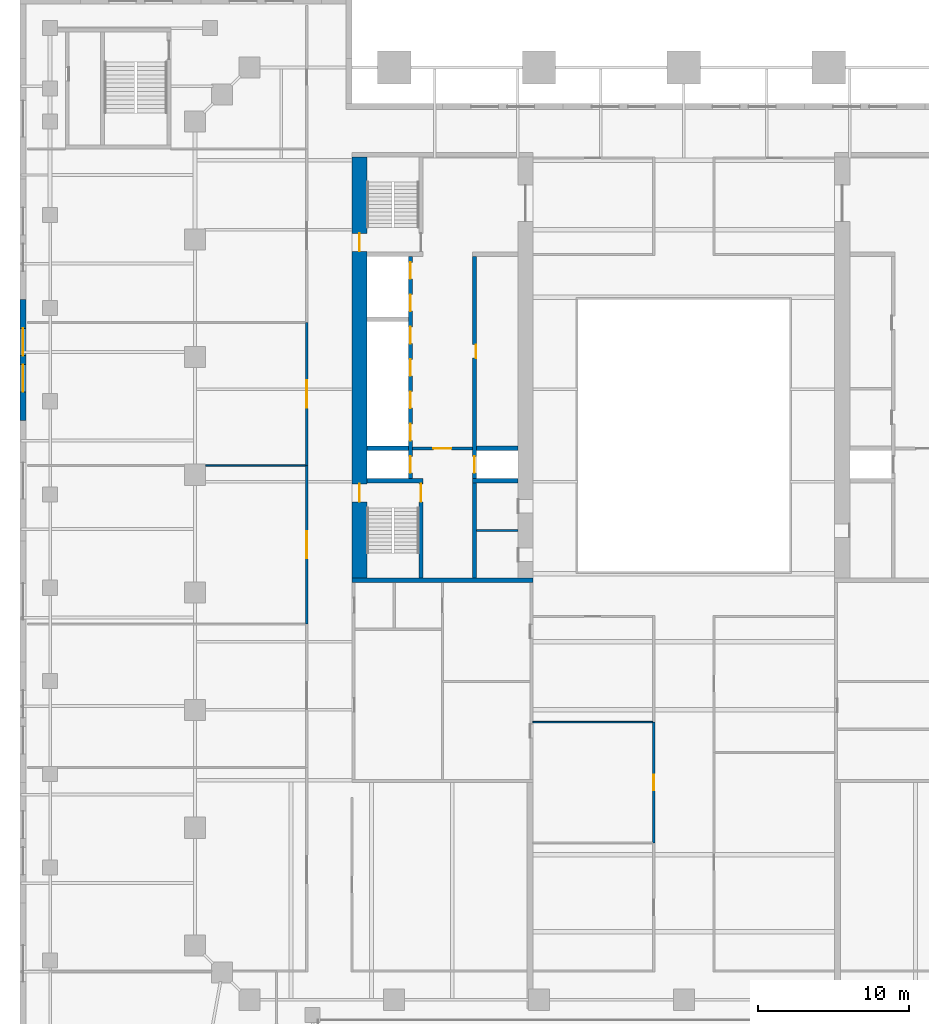
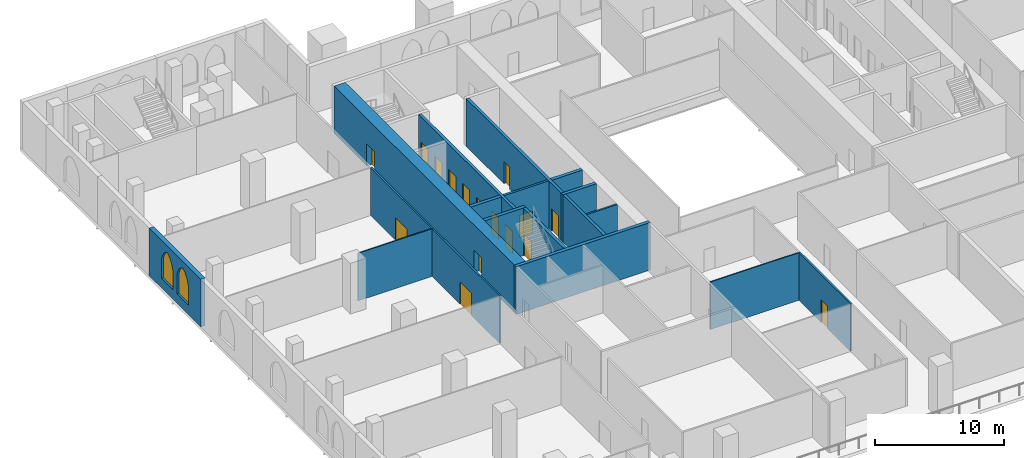
# One storey, part 10 of 19: 17 walls, 16 doors, 2 windows, 18 openings.
"""IFC4 building model written with IfcOpenShell, lengths in metres."""

from ifc_helpers import new_model, si_unit, direction, frame, frame_2d, origin, place, context, subcontext, project, spatial, polyline, rectangle, outline, extrude, material, layer, layer_set, type_object, element, fill, save


model = new_model("IFC4")

# Units and contexts
model_context = context("Model", 3, precision=1e-05, world=origin(), true_north=direction((0.0, 1.0)))
body_context = subcontext(model_context, "Body", "Model", "MODEL_VIEW")
ifc_project = project(units=[si_unit("LENGTHUNIT", "METRE"), si_unit("AREAUNIT", "SQUARE_METRE"), si_unit("VOLUMEUNIT", "CUBIC_METRE"), si_unit("PLANEANGLEUNIT", "RADIAN"), si_unit("MASSUNIT", "GRAM", prefix="KILO")], contexts=[model_context])

# Site, building, storey
site_placement = place(None, origin())
site = spatial("IfcSite", under=ifc_project, at=site_placement, CompositionType="ELEMENT")
building_placement = place(site_placement, origin())
building = spatial("IfcBuilding", under=site, at=building_placement, Name="Ogive Exchange Tower", CompositionType="ELEMENT")
storey_placement = place(building_placement, frame((0.0, 0.0, 24.0)))
storey = spatial("IfcBuildingStorey", under=building, at=storey_placement, Name="L04", CompositionType="ELEMENT", Elevation=24.0)

# Wall
ifc_material_1 = material(Name="Gypsum board partition")
ifc_layer_1 = layer(ifc_material_1, 0.14990234375)
ifc_layer_set_1 = layer_set([ifc_layer_1], Name="Core room partition 150 gypsum")
wall_type_1 = type_object("IfcWallType", Name="Core room partition 150 gypsum", PredefinedType="PARTITIONING", material=ifc_layer_set_1)
wall_1_placement = place(storey_placement, frame((-13.75, 0.699951171875, 0.0), z_axis=(0.0, 0.0, 1.0), x_axis=(1.0, 0.0, 0.0)))
element("IfcWall", 1, at=wall_1_placement, inside=storey, type_object=wall_type_1, Name="W south room partition", PredefinedType="PARTITIONING", context=body_context, shape_type="SweptSolid", body=[
    extrude(rectangle(XDim=2.75, YDim=0.14990234375, at=frame_2d((1.375, 0.0))), origin(), (0.0, 0.0, 1.0), 4.5),
])

# Wall, opening, door
ifc_material_2 = material(Name="Fire partition EI 60 150")
ifc_layer_2 = layer(ifc_material_2, 0.14990234375)
ifc_layer_set_2 = layer_set([ifc_layer_2], Name="Fire partition EI 60 150")
wall_type_2 = type_object("IfcWallType", Name="Fire partition EI 60 150", PredefinedType="PARTITIONING", material=ifc_layer_set_2)
wall_2_placement = place(storey_placement, frame((-25.0, -5.5, 0.0), z_axis=(0.0, 0.0, 1.0), x_axis=(0.0, 1.0, 0.0)))
wall_2 = element("IfcWall", 2, at=wall_2_placement, inside=storey, type_object=wall_type_2, Name="L04-PWL-046", PredefinedType="PARTITIONING", context=body_context, shape_type="SweptSolid", body=[
    extrude(rectangle(XDim=10.5, YDim=0.14990234375, at=frame_2d((5.25, 0.0))), origin(), (0.0, 0.0, 1.0), 4.5),
])
opening_1_placement = place(wall_2_placement, frame((4.35009765625, 0.0, 0.0)))
opening_1 = element("IfcOpeningElement", 3, at=opening_1_placement, cuts=wall_2, Name="Opening L04-I05", PredefinedType="OPENING", context=body_context, shape_type="SweptSolid", body=[
    extrude(rectangle(XDim=1.800048828125, YDim=2.10009765625, at=frame_2d((0.89990234375, 1.050048828125))), frame((0.0, 0.0849609375, 0.0), z_axis=(0.0, -1.0, 0.0), x_axis=(1.0, 0.0, 0.0)), (0.0, 0.0, 1.0), 0.169921875),
])
ifc_material_3 = material(Name="Fire door FD 30S 1800 x 2100")
door_type_1 = type_object("IfcDoorType", Name="Fire door FD 30S 1800 x 2100", OperationType="DOUBLE_DOOR_SINGLE_SWING", PredefinedType="DOOR", material=ifc_material_3)
door_1_placement = place(opening_1_placement, origin())
door_1 = element("IfcDoor", 4, at=door_1_placement, inside=storey, type_object=door_type_1, Name="L04-IDR-005", ObjectType="DT4", OperationType="SINGLE_SWING_RIGHT", OverallHeight=2.10009765625, OverallWidth=1.800048828125, PredefinedType="DOOR", context=body_context, shape_type="SweptSolid", body=[
    extrude(rectangle(XDim=1.800048828125, YDim=2.10009765625, at=frame_2d((0.89990234375, 1.050048828125))), frame((0.0, 0.02490234375, 0.0), z_axis=(0.0, -1.0, 0.0), x_axis=(1.0, 0.0, 0.0)), (0.0, 0.0, 1.0), 0.050048828125),
])
fill(opening_1, door_1)

wall_3_placement = place(storey_placement, frame((-25.0, 5.0, 0.0), z_axis=(0.0, 0.0, 1.0), x_axis=(0.0, 1.0, 0.0)))
wall_3 = element("IfcWall", 5, at=wall_3_placement, inside=storey, type_object=wall_type_2, Name="L04-PWL-047", PredefinedType="PARTITIONING", context=body_context, shape_type="SweptSolid", body=[
    extrude(rectangle(XDim=9.5, YDim=0.14990234375, at=frame_2d((4.75, 0.0))), origin(), (0.0, 0.0, 1.0), 4.5),
])
opening_2_placement = place(wall_3_placement, frame((3.85009765625, 0.0, 0.0)))
opening_2 = element("IfcOpeningElement", 6, at=opening_2_placement, cuts=wall_3, Name="Opening L04-I06", PredefinedType="OPENING", context=body_context, shape_type="SweptSolid", body=[
    extrude(rectangle(XDim=1.800048828125, YDim=2.10009765625, at=frame_2d((0.89990234375, 1.050048828125))), frame((0.0, 0.0849609375, 0.0), z_axis=(0.0, -1.0, 0.0), x_axis=(1.0, 0.0, 0.0)), (0.0, 0.0, 1.0), 0.169921875),
])
door_2_placement = place(opening_2_placement, origin())
door_2 = element("IfcDoor", 7, at=door_2_placement, inside=storey, type_object=door_type_1, Name="L04-IDR-006", ObjectType="DT4", OperationType="SINGLE_SWING_RIGHT", OverallHeight=2.10009765625, OverallWidth=1.800048828125, PredefinedType="DOOR", context=body_context, shape_type="SweptSolid", body=[
    extrude(rectangle(XDim=1.800048828125, YDim=2.10009765625, at=frame_2d((0.89990234375, 1.050048828125))), frame((0.0, 0.02490234375, 0.0), z_axis=(0.0, -1.0, 0.0), x_axis=(1.0, 0.0, 0.0)), (0.0, 0.0, 1.0), 0.050048828125),
])
fill(opening_2, door_2)

wall_4_placement = place(storey_placement, frame((-2.0, -20.0, 0.0), z_axis=(0.0, 0.0, 1.0), x_axis=(0.0, 1.0, 0.0)))
wall_4 = element("IfcWall", 8, at=wall_4_placement, inside=storey, type_object=wall_type_2, Name="L04-PWL-052", PredefinedType="PARTITIONING", context=body_context, shape_type="SweptSolid", body=[
    extrude(rectangle(XDim=8.0, YDim=0.14990234375, at=frame_2d((4.0, 0.0))), origin(), (0.0, 0.0, 1.0), 4.5),
])
opening_3_placement = place(wall_4_placement, frame((3.5, 0.0, 0.0)))
opening_3 = element("IfcOpeningElement", 9, at=opening_3_placement, cuts=wall_4, Name="Opening L04-I21", PredefinedType="OPENING", context=body_context, shape_type="SweptSolid", body=[
    extrude(rectangle(XDim=1.0, YDim=2.10009765625, at=frame_2d((0.5, 1.050048828125))), frame((0.0, 0.0849609375, 0.0), z_axis=(0.0, -1.0, 0.0), x_axis=(1.0, 0.0, 0.0)), (0.0, 0.0, 1.0), 0.169921875),
])
ifc_material_4 = material(Name="Fire door FD 30S 1000 x 2100")
door_type_2 = type_object("IfcDoorType", Name="Fire door FD 30S 1000 x 2100", OperationType="NOTDEFINED", PredefinedType="DOOR", material=ifc_material_4)
door_3_placement = place(opening_3_placement, origin())
door_3 = element("IfcDoor", 10, at=door_3_placement, inside=storey, type_object=door_type_2, Name="L04-IDR-021", ObjectType="DT3", OperationType="SINGLE_SWING_LEFT", OverallHeight=2.10009765625, OverallWidth=1.0, PredefinedType="DOOR", context=body_context, shape_type="SweptSolid", body=[
    extrude(rectangle(XDim=1.0, YDim=2.10009765625, at=frame_2d((0.5, 1.050048828125))), frame((0.0, 0.02490234375, 0.0), z_axis=(0.0, -1.0, 0.0), x_axis=(1.0, 0.0, 0.0)), (0.0, 0.0, 1.0), 0.050048828125),
])
fill(opening_3, door_3)

# Wall, openings, windows
ifc_material_5 = material(Name="Precast concrete C40/50", Category="concrete")
ifc_layer_3 = layer(ifc_material_5, 0.39990234375)
ifc_layer_set_3 = layer_set([ifc_layer_3], Name="Limestone-faced wall 400")
wall_type_3 = type_object("IfcWallType", Name="Limestone-faced wall 400", PredefinedType="STANDARD", material=ifc_layer_set_3)
wall_5_placement = place(storey_placement, frame((-43.800048828125, 16.0, 0.0), z_axis=(0.0, 0.0, 1.0), x_axis=(0.0, -1.0, 0.0)))
wall_5 = element("IfcWall", 11, at=wall_5_placement, inside=storey, type_object=wall_type_3, Name="Podium wall W4", PredefinedType="STANDARD", context=body_context, shape_type="SweptSolid", body=[
    extrude(rectangle(XDim=8.0, YDim=0.39990234375, at=frame_2d((4.0, 0.0))), origin(), (0.0, 0.0, 1.0), 4.5),
])
opening_4_placement = place(wall_5_placement, frame((1.89990234375, 0.0, 0.89990234375)))
opening_4 = element("IfcOpeningElement", 12, at=opening_4_placement, cuts=wall_5, Name="Opening WQ300", PredefinedType="OPENING", context=body_context, shape_type="SweptSolid", body=[
    extrude(outline(polyline([(0.0, 0.0), (1.800048828125, 0.0), (1.800048828125, 1.5), (1.78466796875, 1.72900390625), (1.73828125, 1.953857421875), (1.662353515625, 2.17041015625), (1.557861328125, 2.374755859375), (1.4267578125, 2.56298828125), (1.271484375, 2.73193359375), (1.0947265625, 2.878662109375), (0.89990234375, 3.0), (0.705322265625, 2.878662109375), (0.528564453125, 2.73193359375), (0.373291015625, 2.56298828125), (0.2421875, 2.374755859375), (0.1376953125, 2.17041015625), (0.061767578125, 1.953857421875), (0.015380859375, 1.72900390625), (0.0, 1.5), (0.0, 0.0)])), frame((0.0, 0.2099609375, 0.0), z_axis=(0.0, -1.0, 0.0), x_axis=(1.0, 0.0, 0.0)), (0.0, 0.0, 1.0), 0.419921875),
])
opening_5_placement = place(wall_5_placement, frame((4.300048828125, 0.0, 0.89990234375)))
opening_5 = element("IfcOpeningElement", 13, at=opening_5_placement, cuts=wall_5, Name="Opening WQ300", PredefinedType="OPENING", context=body_context, shape_type="SweptSolid", body=[
    extrude(outline(polyline([(0.0, 0.0), (1.800048828125, 0.0), (1.800048828125, 1.5), (1.78466796875, 1.72900390625), (1.73828125, 1.953857421875), (1.662353515625, 2.17041015625), (1.557861328125, 2.374755859375), (1.4267578125, 2.56298828125), (1.271484375, 2.73193359375), (1.0947265625, 2.878662109375), (0.89990234375, 3.0), (0.705322265625, 2.878662109375), (0.528564453125, 2.73193359375), (0.373291015625, 2.56298828125), (0.2421875, 2.374755859375), (0.1376953125, 2.17041015625), (0.061767578125, 1.953857421875), (0.015380859375, 1.72900390625), (0.0, 1.5), (0.0, 0.0)])), frame((0.0, 0.2099609375, 0.0), z_axis=(0.0, -1.0, 0.0), x_axis=(1.0, 0.0, 0.0)), (0.0, 0.0, 1.0), 0.419921875),
])
ifc_material_6 = material(Name="Clear glass in bronze frame", Category="glass")
window_type = type_object("IfcWindowType", Name="Podium paired lancet 1800 x 3000", PartitioningType="DOUBLE_PANEL_VERTICAL", PredefinedType="WINDOW", material=ifc_material_6)
window_1_placement = place(opening_4_placement, origin())
window_1 = element("IfcWindow", 14, at=window_1_placement, inside=storey, type_object=window_type, Name="Podium paired lancet W4.1", OverallHeight=3.0, OverallWidth=1.800048828125, PartitioningType="DOUBLE_PANEL_VERTICAL", PredefinedType="WINDOW", context=body_context, shape_type="SweptSolid", body=[
    extrude(outline(polyline([(0.0, 0.0), (1.800048828125, 0.0), (1.800048828125, 1.5), (1.78466796875, 1.72900390625), (1.73828125, 1.953857421875), (1.662353515625, 2.17041015625), (1.557861328125, 2.374755859375), (1.4267578125, 2.56298828125), (1.271484375, 2.73193359375), (1.0947265625, 2.878662109375), (0.89990234375, 3.0), (0.705322265625, 2.878662109375), (0.528564453125, 2.73193359375), (0.373291015625, 2.56298828125), (0.2421875, 2.374755859375), (0.1376953125, 2.17041015625), (0.061767578125, 1.953857421875), (0.015380859375, 1.72900390625), (0.0, 1.5), (0.0, 0.0)])), frame((0.0, 0.030029296875, 0.0), z_axis=(0.0, -1.0, 0.0), x_axis=(1.0, 0.0, 0.0)), (0.0, 0.0, 1.0), 0.06005859375),
])
fill(opening_4, window_1)
window_2_placement = place(opening_5_placement, origin())
window_2 = element("IfcWindow", 15, at=window_2_placement, inside=storey, type_object=window_type, Name="Podium paired lancet W4.2", OverallHeight=3.0, OverallWidth=1.800048828125, PartitioningType="DOUBLE_PANEL_VERTICAL", PredefinedType="WINDOW", context=body_context, shape_type="SweptSolid", body=[
    extrude(outline(polyline([(0.0, 0.0), (1.800048828125, 0.0), (1.800048828125, 1.5), (1.78466796875, 1.72900390625), (1.73828125, 1.953857421875), (1.662353515625, 2.17041015625), (1.557861328125, 2.374755859375), (1.4267578125, 2.56298828125), (1.271484375, 2.73193359375), (1.0947265625, 2.878662109375), (0.89990234375, 3.0), (0.705322265625, 2.878662109375), (0.528564453125, 2.73193359375), (0.373291015625, 2.56298828125), (0.2421875, 2.374755859375), (0.1376953125, 2.17041015625), (0.061767578125, 1.953857421875), (0.015380859375, 1.72900390625), (0.0, 1.5), (0.0, 0.0)])), frame((0.0, 0.030029296875, 0.0), z_axis=(0.0, -1.0, 0.0), x_axis=(1.0, 0.0, 0.0)), (0.0, 0.0, 1.0), 0.06005859375),
])
fill(opening_5, window_2)

# Walls
ifc_material_7 = material(Name="Partition 100 gypsum")
ifc_layer_4 = layer(ifc_material_7, 0.10009765625)
ifc_layer_set_4 = layer_set([ifc_layer_4], Name="Partition 100 gypsum")
wall_type_4 = type_object("IfcWallType", Name="Partition 100 gypsum", PredefinedType="PARTITIONING", material=ifc_layer_set_4)
wall_6_placement = place(storey_placement, frame((-10.0, -12.0, 0.0), z_axis=(0.0, 0.0, 1.0), x_axis=(1.0, 0.0, 0.0)))
element("IfcWall", 16, at=wall_6_placement, inside=storey, type_object=wall_type_4, Name="L04-PWL-020", PredefinedType="PARTITIONING", context=body_context, shape_type="SweptSolid", body=[
    extrude(rectangle(XDim=7.925048828125, YDim=0.10009765625, at=frame_2d((3.96240234375, 0.0))), origin(), (0.0, 0.0, 1.0), 4.5),
])
wall_7_placement = place(storey_placement, frame((-31.699951171875, 5.0, 0.0), z_axis=(0.0, 0.0, 1.0), x_axis=(1.0, 0.0, 0.0)))
element("IfcWall", 17, at=wall_7_placement, inside=storey, type_object=wall_type_4, Name="L04-PWL-027", PredefinedType="PARTITIONING", context=body_context, shape_type="SweptSolid", body=[
    extrude(rectangle(XDim=6.625, YDim=0.10009765625, at=frame_2d((3.3125, 0.0))), origin(), (0.0, 0.0, 1.0), 4.5),
])

# Wall, openings, doors
ifc_material_8 = material(Name="Concrete C70/85", Category="concrete")
ifc_layer_5 = layer(ifc_material_8, 1.0)
ifc_layer_set_5 = layer_set([ifc_layer_5], Name="RC core wall 1000 C70/85")
wall_type_5 = type_object("IfcWallType", Name="RC core wall 1000 C70/85", PredefinedType="SHEAR", material=ifc_layer_set_5)
wall_8_placement = place(storey_placement, frame((-21.5, -2.449951171875, 0.0), z_axis=(0.0, 0.0, 1.0), x_axis=(0.0, 1.0, 0.0)))
wall_8 = element("IfcWall", 18, at=wall_8_placement, inside=storey, type_object=wall_type_5, Name="W outer wall", PredefinedType="SHEAR", context=body_context, shape_type="SweptSolid", body=[
    extrude(rectangle(XDim=27.89990234375, YDim=1.0, at=frame_2d((13.949951171875, 0.0))), origin(), (0.0, 0.0, 1.0), 4.5),
])
opening_6_placement = place(wall_8_placement, frame((5.050048828125, 0.0, 0.0)))
opening_6 = element("IfcOpeningElement", 19, at=opening_6_placement, cuts=wall_8, Name="Opening L04-C13", PredefinedType="OPENING", context=body_context, shape_type="SweptSolid", body=[
    extrude(rectangle(XDim=1.199951171875, YDim=2.10009765625, at=frame_2d((0.60009765625, 1.050048828125))), frame((0.0, 0.510009765625, 0.0), z_axis=(0.0, -1.0, 0.0), x_axis=(1.0, 0.0, 0.0)), (0.0, 0.0, 1.0), 1.02001953125),
])
opening_7_placement = place(wall_8_placement, frame((21.64990234375, 0.0, 0.0)))
opening_7 = element("IfcOpeningElement", 20, at=opening_7_placement, cuts=wall_8, Name="Opening L04-C15", PredefinedType="OPENING", context=body_context, shape_type="SweptSolid", body=[
    extrude(rectangle(XDim=1.199951171875, YDim=2.10009765625, at=frame_2d((0.60009765625, 1.050048828125))), frame((0.0, 0.510009765625, 0.0), z_axis=(0.0, -1.0, 0.0), x_axis=(1.0, 0.0, 0.0)), (0.0, 0.0, 1.0), 1.02001953125),
])
ifc_material_9 = material(Name="Steel fire door", Category="steel")
door_type_3 = type_object("IfcDoorType", Name="Stair door FD90 1200 x 2100", OperationType="NOTDEFINED", PredefinedType="DOOR", material=ifc_material_9)
door_4_placement = place(opening_6_placement, frame((1.199951171875, 0.0, 0.0), z_axis=(0.0, 0.0, 1.0), x_axis=(-1.0, 0.0, 0.0)))
door_4 = element("IfcDoor", 21, at=door_4_placement, inside=storey, type_object=door_type_3, Name="Stair door", ObjectType="CD5", OperationType="SINGLE_SWING_RIGHT", OverallHeight=2.10009765625, OverallWidth=1.199951171875, PredefinedType="DOOR", context=body_context, shape_type="SweptSolid", body=[
    extrude(rectangle(XDim=1.199951171875, YDim=2.10009765625, at=frame_2d((0.60009765625, 1.050048828125))), frame((0.0, 0.02490234375, 0.0), z_axis=(0.0, -1.0, 0.0), x_axis=(1.0, 0.0, 0.0)), (0.0, 0.0, 1.0), 0.050048828125),
])
fill(opening_6, door_4)
door_5_placement = place(opening_7_placement, frame((1.199951171875, 0.0, 0.0), z_axis=(0.0, 0.0, 1.0), x_axis=(-1.0, 0.0, 0.0)))
door_5 = element("IfcDoor", 22, at=door_5_placement, inside=storey, type_object=door_type_3, Name="Stair door", ObjectType="CD5", OperationType="SINGLE_SWING_LEFT", OverallHeight=2.10009765625, OverallWidth=1.199951171875, PredefinedType="DOOR", context=body_context, shape_type="SweptSolid", body=[
    extrude(rectangle(XDim=1.199951171875, YDim=2.10009765625, at=frame_2d((0.60009765625, 1.050048828125))), frame((0.0, 0.02490234375, 0.0), z_axis=(0.0, -1.0, 0.0), x_axis=(1.0, 0.0, 0.0)), (0.0, 0.0, 1.0), 0.050048828125),
])
fill(opening_7, door_5)

# Wall, opening, door
ifc_layer_6 = layer(ifc_material_8, 0.199951171875)
ifc_layer_set_6 = layer_set([ifc_layer_6], Name="RC core wall 200 C70/85")
wall_type_6 = type_object("IfcWallType", Name="RC core wall 200 C70/85", PredefinedType="SHEAR", material=ifc_layer_set_6)
wall_9_placement = place(storey_placement, frame((-18.0, 6.142822265625, 0.0), z_axis=(0.0, 0.0, 1.0), x_axis=(1.0, 0.0, 0.0)))
wall_9 = element("IfcWall", 23, at=wall_9_placement, inside=storey, type_object=wall_type_6, Name="W firefighting lobby wall", PredefinedType="SHEAR", context=body_context, shape_type="SweptSolid", body=[
    extrude(rectangle(XDim=4.0, YDim=0.199951171875, at=frame_2d((2.0, 0.0))), origin(), (0.0, 0.0, 1.0), 4.5),
])
opening_8_placement = place(wall_9_placement, frame((1.39990234375, 0.0, 0.0)))
opening_8 = element("IfcOpeningElement", 24, at=opening_8_placement, cuts=wall_9, Name="Opening L04-C10", PredefinedType="OPENING", context=body_context, shape_type="SweptSolid", body=[
    extrude(rectangle(XDim=1.199951171875, YDim=2.10009765625, at=frame_2d((0.60009765625, 1.050048828125))), frame((0.0, 0.10986328125, 0.0), z_axis=(0.0, -1.0, 0.0), x_axis=(1.0, 0.0, 0.0)), (0.0, 0.0, 1.0), 0.219970703125),
])
door_type_4 = type_object("IfcDoorType", Name="Firefighting lobby door FD60 1200 x 2100", OperationType="NOTDEFINED", PredefinedType="DOOR", material=ifc_material_9)
door_6_placement = place(opening_8_placement, frame((1.199951171875, 0.0, 0.0), z_axis=(0.0, 0.0, 1.0), x_axis=(-1.0, 0.0, 0.0)))
door_6 = element("IfcDoor", 25, at=door_6_placement, inside=storey, type_object=door_type_4, Name="Firefighting lobby door", ObjectType="CD3", OperationType="SINGLE_SWING_LEFT", OverallHeight=2.10009765625, OverallWidth=1.199951171875, PredefinedType="DOOR", context=body_context, shape_type="SweptSolid", body=[
    extrude(rectangle(XDim=1.199951171875, YDim=2.10009765625, at=frame_2d((0.60009765625, 1.050048828125))), frame((0.0, 0.02490234375, 0.0), z_axis=(0.0, -1.0, 0.0), x_axis=(1.0, 0.0, 0.0)), (0.0, 0.0, 1.0), 0.050048828125),
])
fill(opening_8, door_6)

ifc_layer_7 = layer(ifc_material_8, 0.25)
ifc_layer_set_7 = layer_set([ifc_layer_7], Name="RC core wall 250 C70/85")
wall_type_7 = type_object("IfcWallType", Name="RC core wall 250 C70/85", PredefinedType="SHEAR", material=ifc_layer_set_7)
wall_10_placement = place(storey_placement, frame((-17.425048828125, -2.449951171875, 0.0), z_axis=(0.0, 0.0, 1.0), x_axis=(0.0, 1.0, 0.0)))
wall_10 = element("IfcWall", 26, at=wall_10_placement, inside=storey, type_object=wall_type_7, Name="W stair S front wall", PredefinedType="SHEAR", context=body_context, shape_type="SweptSolid", body=[
    extrude(rectangle(XDim=6.300048828125, YDim=0.25, at=frame_2d((3.14990234375, 0.0))), origin(), (0.0, 0.0, 1.0), 4.5),
])
opening_9_placement = place(wall_10_placement, frame((5.050048828125, 0.0, 0.0)))
opening_9 = element("IfcOpeningElement", 27, at=opening_9_placement, cuts=wall_10, Name="Opening L04-C12", PredefinedType="OPENING", context=body_context, shape_type="SweptSolid", body=[
    extrude(rectangle(XDim=1.199951171875, YDim=2.10009765625, at=frame_2d((0.60009765625, 1.050048828125))), frame((0.0, 0.135009765625, 0.0), z_axis=(0.0, -1.0, 0.0), x_axis=(1.0, 0.0, 0.0)), (0.0, 0.0, 1.0), 0.27001953125),
])
door_7_placement = place(opening_9_placement, origin())
door_7 = element("IfcDoor", 28, at=door_7_placement, inside=storey, type_object=door_type_3, Name="Stair door", ObjectType="CD5", OperationType="SINGLE_SWING_LEFT", OverallHeight=2.10009765625, OverallWidth=1.199951171875, PredefinedType="DOOR", context=body_context, shape_type="SweptSolid", body=[
    extrude(rectangle(XDim=1.199951171875, YDim=2.10009765625, at=frame_2d((0.60009765625, 1.050048828125))), frame((0.0, 0.02490234375, 0.0), z_axis=(0.0, -1.0, 0.0), x_axis=(1.0, 0.0, 0.0)), (0.0, 0.0, 1.0), 0.050048828125),
])
fill(opening_9, door_7)

# Wall, openings, doors
wall_11_placement = place(storey_placement, frame((-18.125, 4.14990234375, 0.0), z_axis=(0.0, 0.0, 1.0), x_axis=(0.0, 1.0, 0.0)))
wall_11 = element("IfcWall", 29, at=wall_11_placement, inside=storey, type_object=wall_type_7, Name="W row A front wall", PredefinedType="SHEAR", context=body_context, shape_type="SweptSolid", body=[
    extrude(rectangle(XDim=14.7001953125, YDim=0.25, at=frame_2d((7.35009765625, 0.0))), origin(), (0.0, 0.0, 1.0), 4.5),
])
opening_10_placement = place(wall_11_placement, frame((0.371337890625, 0.0, 0.0)))
opening_10 = element("IfcOpeningElement", 30, at=opening_10_placement, cuts=wall_11, Name="Opening L04-C01", PredefinedType="OPENING", context=body_context, shape_type="SweptSolid", body=[
    extrude(rectangle(XDim=1.10009765625, YDim=2.10009765625, at=frame_2d((0.550048828125, 1.050048828125))), frame((0.0, 0.135009765625, 0.0), z_axis=(0.0, -1.0, 0.0), x_axis=(1.0, 0.0, 0.0)), (0.0, 0.0, 1.0), 0.27001953125),
])
opening_11_placement = place(wall_11_placement, frame((2.514404296875, 0.0, 0.0)))
opening_11 = element("IfcOpeningElement", 31, at=opening_11_placement, cuts=wall_11, Name="Opening L04-C02", PredefinedType="OPENING", context=body_context, shape_type="SweptSolid", body=[
    extrude(rectangle(XDim=1.10009765625, YDim=2.10009765625, at=frame_2d((0.550048828125, 1.050048828125))), frame((0.0, 0.135009765625, 0.0), z_axis=(0.0, -1.0, 0.0), x_axis=(1.0, 0.0, 0.0)), (0.0, 0.0, 1.0), 0.27001953125),
])
opening_12_placement = place(wall_11_placement, frame((4.656982421875, 0.0, 0.0)))
opening_12 = element("IfcOpeningElement", 32, at=opening_12_placement, cuts=wall_11, Name="Opening L04-C03", PredefinedType="OPENING", context=body_context, shape_type="SweptSolid", body=[
    extrude(rectangle(XDim=1.10009765625, YDim=2.10009765625, at=frame_2d((0.550048828125, 1.050048828125))), frame((0.0, 0.135009765625, 0.0), z_axis=(0.0, -1.0, 0.0), x_axis=(1.0, 0.0, 0.0)), (0.0, 0.0, 1.0), 0.27001953125),
])
opening_13_placement = place(wall_11_placement, frame((6.800048828125, 0.0, 0.0)))
opening_13 = element("IfcOpeningElement", 33, at=opening_13_placement, cuts=wall_11, Name="Opening L04-C04", PredefinedType="OPENING", context=body_context, shape_type="SweptSolid", body=[
    extrude(rectangle(XDim=1.10009765625, YDim=2.10009765625, at=frame_2d((0.550048828125, 1.050048828125))), frame((0.0, 0.135009765625, 0.0), z_axis=(0.0, -1.0, 0.0), x_axis=(1.0, 0.0, 0.0)), (0.0, 0.0, 1.0), 0.27001953125),
])
opening_14_placement = place(wall_11_placement, frame((8.94287109375, 0.0, 0.0)))
opening_14 = element("IfcOpeningElement", 34, at=opening_14_placement, cuts=wall_11, Name="Opening L04-C05", PredefinedType="OPENING", context=body_context, shape_type="SweptSolid", body=[
    extrude(rectangle(XDim=1.10009765625, YDim=2.10009765625, at=frame_2d((0.550048828125, 1.050048828125))), frame((0.0, 0.135009765625, 0.0), z_axis=(0.0, -1.0, 0.0), x_axis=(1.0, 0.0, 0.0)), (0.0, 0.0, 1.0), 0.27001953125),
])
opening_15_placement = place(wall_11_placement, frame((11.085693359375, 0.0, 0.0)))
opening_15 = element("IfcOpeningElement", 35, at=opening_15_placement, cuts=wall_11, Name="Opening L04-C06", PredefinedType="OPENING", context=body_context, shape_type="SweptSolid", body=[
    extrude(rectangle(XDim=1.10009765625, YDim=2.10009765625, at=frame_2d((0.550048828125, 1.050048828125))), frame((0.0, 0.135009765625, 0.0), z_axis=(0.0, -1.0, 0.0), x_axis=(1.0, 0.0, 0.0)), (0.0, 0.0, 1.0), 0.27001953125),
])
opening_16_placement = place(wall_11_placement, frame((13.228515625, 0.0, 0.0)))
opening_16 = element("IfcOpeningElement", 36, at=opening_16_placement, cuts=wall_11, Name="Opening L04-C07", PredefinedType="OPENING", context=body_context, shape_type="SweptSolid", body=[
    extrude(rectangle(XDim=1.10009765625, YDim=2.10009765625, at=frame_2d((0.550048828125, 1.050048828125))), frame((0.0, 0.135009765625, 0.0), z_axis=(0.0, -1.0, 0.0), x_axis=(1.0, 0.0, 0.0)), (0.0, 0.0, 1.0), 0.27001953125),
])
ifc_material_10 = material(Name="Stainless steel", Category="steel")
door_type_5 = type_object("IfcDoorType", Name="Lift landing door FD90 1100 x 2100", OperationType="SLIDING_TO_LEFT", PredefinedType="DOOR", material=ifc_material_10)
door_8_placement = place(opening_10_placement, origin())
door_8 = element("IfcDoor", 37, at=door_8_placement, inside=storey, type_object=door_type_5, Name="Lift landing door FF1", ObjectType="LD", OperationType="SLIDING_TO_LEFT", OverallHeight=2.10009765625, OverallWidth=1.10009765625, PredefinedType="DOOR", context=body_context, shape_type="SweptSolid", body=[
    extrude(rectangle(XDim=1.10009765625, YDim=2.10009765625, at=frame_2d((0.550048828125, 1.050048828125))), frame((0.0, 0.02490234375, 0.0), z_axis=(0.0, -1.0, 0.0), x_axis=(1.0, 0.0, 0.0)), (0.0, 0.0, 1.0), 0.050048828125),
])
fill(opening_10, door_8)
door_9_placement = place(opening_11_placement, origin())
door_9 = element("IfcDoor", 38, at=door_9_placement, inside=storey, type_object=door_type_5, Name="Lift landing door W-L1", ObjectType="LD", OperationType="SLIDING_TO_LEFT", OverallHeight=2.10009765625, OverallWidth=1.10009765625, PredefinedType="DOOR", context=body_context, shape_type="SweptSolid", body=[
    extrude(rectangle(XDim=1.10009765625, YDim=2.10009765625, at=frame_2d((0.550048828125, 1.050048828125))), frame((0.0, 0.02490234375, 0.0), z_axis=(0.0, -1.0, 0.0), x_axis=(1.0, 0.0, 0.0)), (0.0, 0.0, 1.0), 0.050048828125),
])
fill(opening_11, door_9)
door_10_placement = place(opening_12_placement, origin())
door_10 = element("IfcDoor", 39, at=door_10_placement, inside=storey, type_object=door_type_5, Name="Lift landing door W-L2", ObjectType="LD", OperationType="SLIDING_TO_LEFT", OverallHeight=2.10009765625, OverallWidth=1.10009765625, PredefinedType="DOOR", context=body_context, shape_type="SweptSolid", body=[
    extrude(rectangle(XDim=1.10009765625, YDim=2.10009765625, at=frame_2d((0.550048828125, 1.050048828125))), frame((0.0, 0.02490234375, 0.0), z_axis=(0.0, -1.0, 0.0), x_axis=(1.0, 0.0, 0.0)), (0.0, 0.0, 1.0), 0.050048828125),
])
fill(opening_12, door_10)
door_11_placement = place(opening_13_placement, origin())
door_11 = element("IfcDoor", 40, at=door_11_placement, inside=storey, type_object=door_type_5, Name="Lift landing door W-L3", ObjectType="LD", OperationType="SLIDING_TO_LEFT", OverallHeight=2.10009765625, OverallWidth=1.10009765625, PredefinedType="DOOR", context=body_context, shape_type="SweptSolid", body=[
    extrude(rectangle(XDim=1.10009765625, YDim=2.10009765625, at=frame_2d((0.550048828125, 1.050048828125))), frame((0.0, 0.02490234375, 0.0), z_axis=(0.0, -1.0, 0.0), x_axis=(1.0, 0.0, 0.0)), (0.0, 0.0, 1.0), 0.050048828125),
])
fill(opening_13, door_11)
door_12_placement = place(opening_14_placement, origin())
door_12 = element("IfcDoor", 41, at=door_12_placement, inside=storey, type_object=door_type_5, Name="Lift landing door W-L4", ObjectType="LD", OperationType="SLIDING_TO_LEFT", OverallHeight=2.10009765625, OverallWidth=1.10009765625, PredefinedType="DOOR", context=body_context, shape_type="SweptSolid", body=[
    extrude(rectangle(XDim=1.10009765625, YDim=2.10009765625, at=frame_2d((0.550048828125, 1.050048828125))), frame((0.0, 0.02490234375, 0.0), z_axis=(0.0, -1.0, 0.0), x_axis=(1.0, 0.0, 0.0)), (0.0, 0.0, 1.0), 0.050048828125),
])
fill(opening_14, door_12)
door_13_placement = place(opening_15_placement, origin())
door_13 = element("IfcDoor", 42, at=door_13_placement, inside=storey, type_object=door_type_5, Name="Lift landing door W-SH1", ObjectType="LD", OperationType="SLIDING_TO_LEFT", OverallHeight=2.10009765625, OverallWidth=1.10009765625, PredefinedType="DOOR", context=body_context, shape_type="SweptSolid", body=[
    extrude(rectangle(XDim=1.10009765625, YDim=2.10009765625, at=frame_2d((0.550048828125, 1.050048828125))), frame((0.0, 0.02490234375, 0.0), z_axis=(0.0, -1.0, 0.0), x_axis=(1.0, 0.0, 0.0)), (0.0, 0.0, 1.0), 0.050048828125),
])
fill(opening_15, door_13)
door_14_placement = place(opening_16_placement, origin())
door_14 = element("IfcDoor", 43, at=door_14_placement, inside=storey, type_object=door_type_5, Name="Lift landing door W-SH2", ObjectType="LD", OperationType="SLIDING_TO_LEFT", OverallHeight=2.10009765625, OverallWidth=1.10009765625, PredefinedType="DOOR", context=body_context, shape_type="SweptSolid", body=[
    extrude(rectangle(XDim=1.10009765625, YDim=2.10009765625, at=frame_2d((0.550048828125, 1.050048828125))), frame((0.0, 0.02490234375, 0.0), z_axis=(0.0, -1.0, 0.0), x_axis=(1.0, 0.0, 0.0)), (0.0, 0.0, 1.0), 0.050048828125),
])
fill(opening_16, door_14)

wall_12_placement = place(storey_placement, frame((-13.875, -2.449951171875, 0.0), z_axis=(0.0, 0.0, 1.0), x_axis=(0.0, 1.0, 0.0)))
wall_12 = element("IfcWall", 44, at=wall_12_placement, inside=storey, type_object=wall_type_7, Name="W row B front wall", PredefinedType="SHEAR", context=body_context, shape_type="SweptSolid", body=[
    extrude(rectangle(XDim=21.300048828125, YDim=0.25, at=frame_2d((10.64990234375, 0.0))), origin(), (0.0, 0.0, 1.0), 4.5),
])
opening_17_placement = place(wall_12_placement, frame((14.5712890625, 0.0, 0.0)))
opening_17 = element("IfcOpeningElement", 45, at=opening_17_placement, cuts=wall_12, Name="Opening L04-C08", PredefinedType="OPENING", context=body_context, shape_type="SweptSolid", body=[
    extrude(rectangle(XDim=0.89990234375, YDim=2.10009765625, at=frame_2d((0.449951171875, 1.050048828125))), frame((0.0, 0.135009765625, 0.0), z_axis=(0.0, -1.0, 0.0), x_axis=(1.0, 0.0, 0.0)), (0.0, 0.0, 1.0), 0.27001953125),
])
opening_18_placement = place(wall_12_placement, frame((6.971435546875, 0.0, 0.0)))
opening_18 = element("IfcOpeningElement", 46, at=opening_18_placement, cuts=wall_12, Name="Opening L04-C09", PredefinedType="OPENING", context=body_context, shape_type="SweptSolid", body=[
    extrude(rectangle(XDim=1.10009765625, YDim=2.10009765625, at=frame_2d((0.550048828125, 1.050048828125))), frame((0.0, 0.135009765625, 0.0), z_axis=(0.0, -1.0, 0.0), x_axis=(1.0, 0.0, 0.0)), (0.0, 0.0, 1.0), 0.27001953125),
])
door_15_placement = place(opening_18_placement, origin())
door_15 = element("IfcDoor", 47, at=door_15_placement, inside=storey, type_object=door_type_5, Name="Lift landing door SV1", ObjectType="LD", OperationType="SLIDING_TO_LEFT", OverallHeight=2.10009765625, OverallWidth=1.10009765625, PredefinedType="DOOR", context=body_context, shape_type="SweptSolid", body=[
    extrude(rectangle(XDim=1.10009765625, YDim=2.10009765625, at=frame_2d((0.550048828125, 1.050048828125))), frame((0.0, 0.02490234375, 0.0), z_axis=(0.0, -1.0, 0.0), x_axis=(1.0, 0.0, 0.0)), (0.0, 0.0, 1.0), 0.050048828125),
])
fill(opening_18, door_15)
door_type_6 = type_object("IfcDoorType", Name="Riser door FD60 900 x 2100", OperationType="NOTDEFINED", PredefinedType="DOOR", material=ifc_material_9)
door_16_placement = place(opening_17_placement, frame((0.89990234375, -0.2001953125, 0.0), z_axis=(0.0, 0.0, 1.0), x_axis=(-1.0, 0.0, 0.0)))
door_16 = element("IfcDoor", 48, at=door_16_placement, inside=storey, type_object=door_type_6, Name="Riser door", ObjectType="CD2", OperationType="SINGLE_SWING_RIGHT", OverallHeight=2.10009765625, OverallWidth=0.89990234375, PredefinedType="DOOR", context=body_context, shape_type="SweptSolid", body=[
    extrude(rectangle(XDim=0.89990234375, YDim=2.10009765625, at=frame_2d((0.449951171875, 1.050048828125))), frame((0.0, -0.0751953125, 0.0), z_axis=(0.0, -1.0, 0.0), x_axis=(1.0, 0.0, 0.0)), (0.0, 0.0, 1.0), 0.050048828125),
])
fill(opening_17, door_16)

# Walls
ifc_layer_8 = layer(ifc_material_8, 0.300048828125)
ifc_layer_set_8 = layer_set([ifc_layer_8], Name="RC core wall 300 C70/85")
wall_type_8 = type_object("IfcWallType", Name="RC core wall 300 C70/85", PredefinedType="SHEAR", material=ifc_layer_set_8)
wall_13_placement = place(storey_placement, frame((-22.0, -2.60009765625, 0.0), z_axis=(0.0, 0.0, 1.0), x_axis=(1.0, 0.0, 0.0)))
element("IfcWall", 49, at=wall_13_placement, inside=storey, type_object=wall_type_8, Name="W south end wall", PredefinedType="SHEAR", context=body_context, shape_type="SweptSolid", body=[
    extrude(rectangle(XDim=12.0, YDim=0.300048828125, at=frame_2d((6.0, 0.0))), origin(), (0.0, 0.0, 1.0), 4.5),
])
wall_14_placement = place(storey_placement, frame((-21.0, 4.0, 0.0), z_axis=(0.0, 0.0, 1.0), x_axis=(1.0, 0.0, 0.0)))
element("IfcWall", 50, at=wall_14_placement, inside=storey, type_object=wall_type_8, Name="W stair S north wall", PredefinedType="SHEAR", context=body_context, shape_type="SweptSolid", body=[
    extrude(rectangle(XDim=3.699951171875, YDim=0.300048828125, at=frame_2d((1.85009765625, 0.0))), origin(), (0.0, 0.0, 1.0), 4.5),
])
wall_15_placement = place(storey_placement, frame((-21.0, 6.142822265625, 0.0), z_axis=(0.0, 0.0, 1.0), x_axis=(1.0, 0.0, 0.0)))
element("IfcWall", 51, at=wall_15_placement, inside=storey, type_object=wall_type_8, Name="W row A divider 1", PredefinedType="SHEAR", context=body_context, shape_type="SweptSolid", body=[
    extrude(rectangle(XDim=2.75, YDim=0.300048828125, at=frame_2d((1.375, 0.0))), origin(), (0.0, 0.0, 1.0), 4.5),
])
wall_16_placement = place(storey_placement, frame((-14.0, 4.0, 0.0), z_axis=(0.0, 0.0, 1.0), x_axis=(1.0, 0.0, 0.0)))
element("IfcWall", 52, at=wall_16_placement, inside=storey, type_object=wall_type_8, Name="W row B divider 0", PredefinedType="SHEAR", context=body_context, shape_type="SweptSolid", body=[
    extrude(rectangle(XDim=3.0, YDim=0.300048828125, at=frame_2d((1.5, 0.0))), origin(), (0.0, 0.0, 1.0), 4.5),
])
wall_17_placement = place(storey_placement, frame((-13.75, 6.142822265625, 0.0), z_axis=(0.0, 0.0, 1.0), x_axis=(1.0, 0.0, 0.0)))
element("IfcWall", 53, at=wall_17_placement, inside=storey, type_object=wall_type_8, Name="W row B divider 1", PredefinedType="SHEAR", context=body_context, shape_type="SweptSolid", body=[
    extrude(rectangle(XDim=2.75, YDim=0.300048828125, at=frame_2d((1.375, 0.0))), origin(), (0.0, 0.0, 1.0), 4.5),
])

save(model, "model.ifc")
